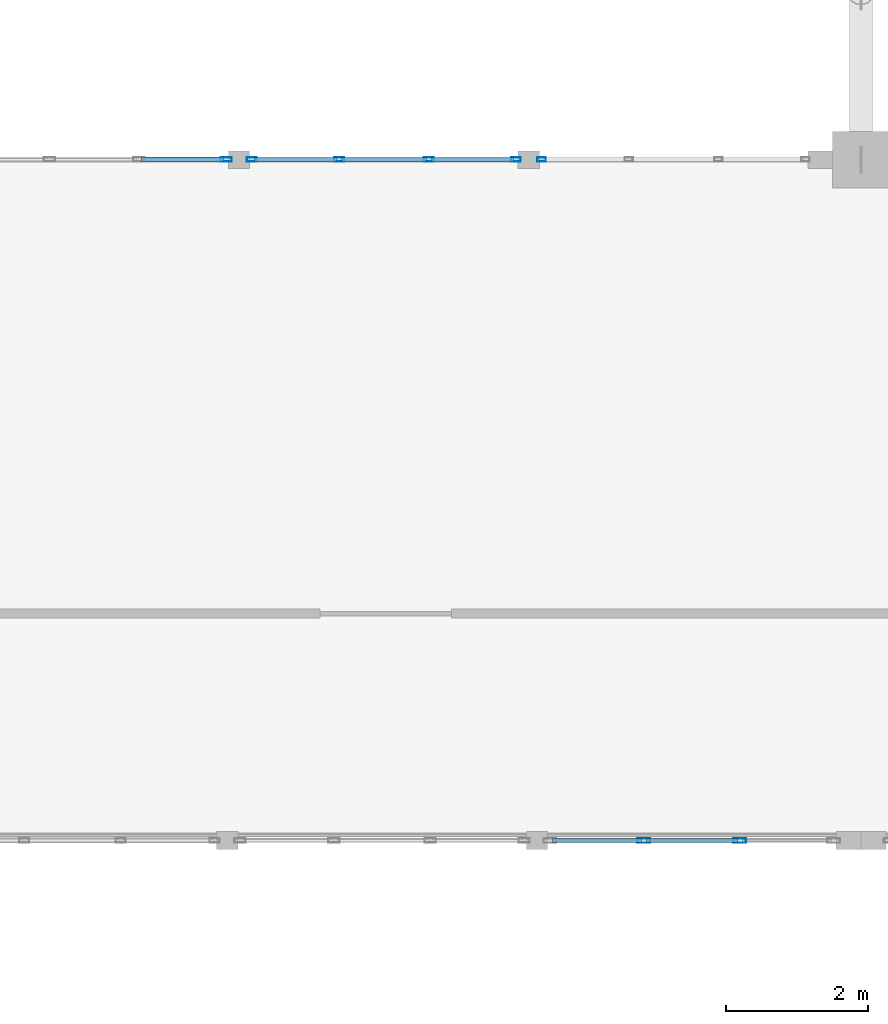
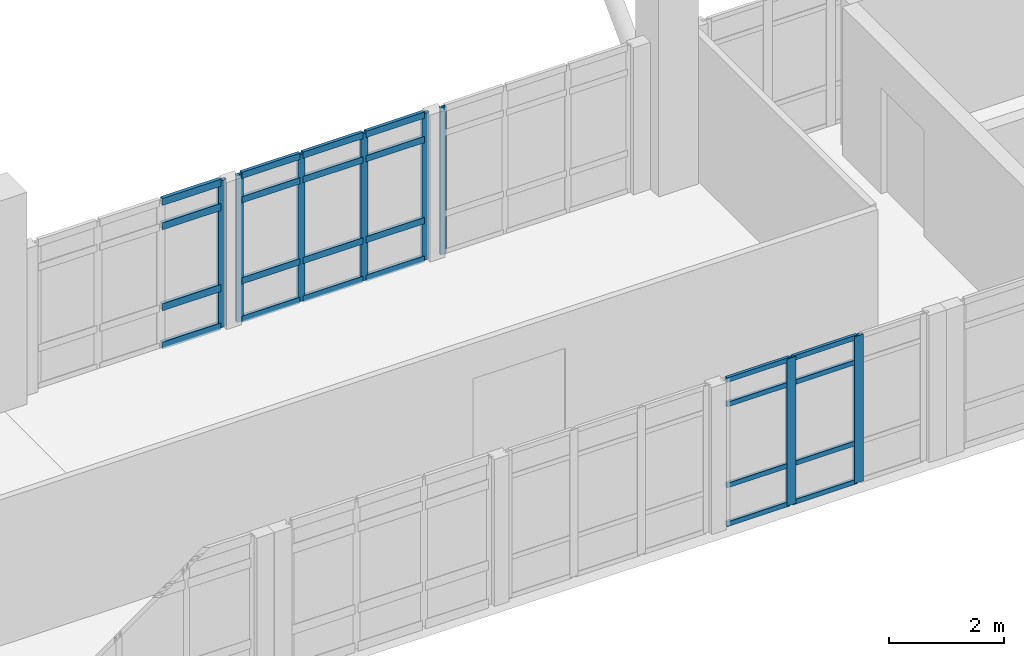
# One storey, part 18 of 37: 32 members, 4 elements without a shape of their own.
"""IFC4 building model written with IfcOpenShell, lengths in metres."""

from ifc_helpers import new_model, si_unit, direction, frame, origin, origin_2d, place, context, subcontext, project, spatial, hollow_rectangle, extrude, material, layer, layer_set, material_profile, profile_set, type_object, element, aggregate, save


model = new_model("IFC4")

# Units and contexts
model_context = context("Model", 3, precision=1e-05, world=origin(), true_north=direction((0.0, 1.0)))
body_context = subcontext(model_context, "Body", "Model", "MODEL_VIEW")
ifc_project = project(units=[si_unit("LENGTHUNIT", "METRE"), si_unit("AREAUNIT", "SQUARE_METRE"), si_unit("VOLUMEUNIT", "CUBIC_METRE"), si_unit("PLANEANGLEUNIT", "RADIAN"), si_unit("MASSUNIT", "GRAM", prefix="KILO")], contexts=[model_context])

# Site, building, storey
site_placement = place(None, origin())
site = spatial("IfcSite", under=ifc_project, at=site_placement, CompositionType="ELEMENT")
building_placement = place(site_placement, origin())
building = spatial("IfcBuilding", under=site, at=building_placement, Name="Fikremerkos Civic Library", CompositionType="ELEMENT")
storey_placement = place(building_placement, frame((0.0, 0.0, 23.39990234375)))
storey = spatial("IfcBuildingStorey", under=building, at=storey_placement, Name="L05", CompositionType="ELEMENT", Elevation=23.39990234375)

# Curtain wall, members
ifc_material = material(Name="Anodized aluminium Frame", Category="aluminium")
ifc_layer_1 = layer(ifc_material, 0.159912109375, Name="Anodized aluminium Frame")
ifc_layer_set_1 = layer_set([ifc_layer_1], Name="Anodized aluminium Frame")
curtain_wall_type_1 = type_object("IfcCurtainWallType", Name="Unitised curtain wall CW-13 3700x3200", PredefinedType="USERDEFINED", material=ifc_layer_set_1)
curtain_wall_1_placement = place(storey_placement, origin())
curtain_wall_1 = element("IfcCurtainWall", 1, at=curtain_wall_1_placement, inside=storey, type_object=curtain_wall_type_1, Name="Unitised curtain wall CW-13 L05 #283", ObjectType="UNITISED CURTAIN WALL", PredefinedType="USERDEFINED")
ifc_material_profile_1 = material_profile(ifc_material, hollow_rectangle(XDim=0.06494140625, YDim=0.179931640625, WallThickness=0.00439453125, at=origin_2d()), Name="ALU 180x65x4.5")
ifc_profile_set_1 = profile_set([ifc_material_profile_1], Name="Anodized aluminium Frame")
member_type_1 = type_object("IfcMemberType", Name="Curtain mullion CWM-01 ALU 180x65x4.5", PredefinedType="MULLION", material=ifc_profile_set_1)
member_1_placement = place(storey_placement, frame((98.492919921875, 21.60009765625, 0.0), z_axis=(0.0, 0.0, 1.0), x_axis=(0.0, -1.0, 0.0)))
member_1 = element("IfcMember", 2, at=member_1_placement, type_object=member_type_1, Name="CW-13 mullion 2", PredefinedType="MULLION", context=body_context, shape_type="SweptSolid", body=[
    extrude(hollow_rectangle(XDim=0.06494140625, YDim=0.179931640625, WallThickness=0.00439453125, at=origin_2d()), origin(), (0.0, 0.0, 1.0), 3.1201171875),
])
member_2_placement = place(storey_placement, frame((97.1376953125, 21.60009765625, 0.0), z_axis=(0.0, 0.0, 1.0), x_axis=(0.0, -1.0, 0.0)))
member_2 = element("IfcMember", 3, at=member_2_placement, type_object=member_type_1, Name="CW-13 mullion 3", PredefinedType="MULLION", context=body_context, shape_type="SweptSolid", body=[
    extrude(hollow_rectangle(XDim=0.06494140625, YDim=0.179931640625, WallThickness=0.00439453125, at=origin_2d()), origin(), (0.0, 0.0, 1.0), 3.1201171875),
])

# Curtain wall, member
ifc_layer_2 = layer(ifc_material, 0.159912109375, Name="Anodized aluminium Frame")
ifc_layer_set_2 = layer_set([ifc_layer_2], Name="Anodized aluminium Frame")
curtain_wall_type_2 = type_object("IfcCurtainWallType", Name="Unitised curtain wall CW-02 3900x3600", PredefinedType="USERDEFINED", material=ifc_layer_set_2)
curtain_wall_2_placement = place(storey_placement, origin())
curtain_wall_2 = element("IfcCurtainWall", 4, at=curtain_wall_2_placement, inside=storey, type_object=curtain_wall_type_2, Name="Unitised curtain wall CW-02 L05 #272", ObjectType="UNITISED CURTAIN WALL", PredefinedType="USERDEFINED")
ifc_material_profile_2 = material_profile(ifc_material, hollow_rectangle(XDim=0.06005859375, YDim=0.159912109375, WallThickness=0.00390625, at=origin_2d()), Name="ALU 160x60x4")
ifc_profile_set_2 = profile_set([ifc_material_profile_2], Name="Anodized aluminium Frame")
member_type_2 = type_object("IfcMemberType", Name="Curtain mullion CWM-02 ALU 160x60x4", PredefinedType="MULLION", material=ifc_profile_set_2)
member_3_placement = place(storey_placement, frame((91.252685546875, 31.199951171875, 0.0), z_axis=(0.0, 0.0, 1.0), x_axis=(0.0, 1.0, 0.0)))
member_3 = element("IfcMember", 5, at=member_3_placement, type_object=member_type_2, Name="CW-02 mullion 4", PredefinedType="MULLION", context=body_context, shape_type="SweptSolid", body=[
    extrude(hollow_rectangle(XDim=0.06005859375, YDim=0.159912109375, WallThickness=0.00390625, at=origin_2d()), origin(), (0.0, 0.0, 1.0), 3.1201171875),
])

# Curtain wall, members
ifc_layer_3 = layer(ifc_material, 0.159912109375, Name="Anodized aluminium Frame")
ifc_layer_set_3 = layer_set([ifc_layer_3], Name="Anodized aluminium Frame")
curtain_wall_type_3 = type_object("IfcCurtainWallType", Name="Unitised curtain wall CW-03 4100x3600", PredefinedType="USERDEFINED", material=ifc_layer_set_3)
curtain_wall_3_placement = place(storey_placement, origin())
curtain_wall_3 = element("IfcCurtainWall", 6, at=curtain_wall_3_placement, inside=storey, type_object=curtain_wall_type_3, Name="Unitised curtain wall CW-03 L05 #273", ObjectType="UNITISED CURTAIN WALL", PredefinedType="USERDEFINED")
ifc_material_profile_3 = material_profile(ifc_material, hollow_rectangle(XDim=0.06005859375, YDim=0.139892578125, WallThickness=0.00390625, at=origin_2d()), Name="ALU 140x60x4")
ifc_profile_set_3 = profile_set([ifc_material_profile_3], Name="Anodized aluminium Frame")
member_type_3 = type_object("IfcMemberType", Name="Curtain mullion CWM-03 ALU 140x60x4", PredefinedType="MULLION", material=ifc_profile_set_3)
member_4_placement = place(storey_placement, frame((91.612548828125, 31.199951171875, 0.0), z_axis=(0.0, 0.0, 1.0), x_axis=(0.0, 1.0, 0.0)))
member_4 = element("IfcMember", 7, at=member_4_placement, type_object=member_type_3, Name="CW-03 mullion 1", PredefinedType="MULLION", context=body_context, shape_type="SweptSolid", body=[
    extrude(hollow_rectangle(XDim=0.06005859375, YDim=0.139892578125, WallThickness=0.00390625, at=origin_2d()), origin(), (0.0, 0.0, 1.0), 3.1201171875),
])
member_5_placement = place(storey_placement, frame((92.84423828125, 31.199951171875, 0.0), z_axis=(0.0, 0.0, 1.0), x_axis=(0.0, 1.0, 0.0)))
member_5 = element("IfcMember", 8, at=member_5_placement, type_object=member_type_3, Name="CW-03 mullion 2", PredefinedType="MULLION", context=body_context, shape_type="SweptSolid", body=[
    extrude(hollow_rectangle(XDim=0.06005859375, YDim=0.139892578125, WallThickness=0.00390625, at=origin_2d()), origin(), (0.0, 0.0, 1.0), 3.1201171875),
])
member_6_placement = place(storey_placement, frame((94.105712890625, 31.199951171875, 0.0), z_axis=(0.0, 0.0, 1.0), x_axis=(0.0, 1.0, 0.0)))
member_6 = element("IfcMember", 9, at=member_6_placement, type_object=member_type_3, Name="CW-03 mullion 3", PredefinedType="MULLION", context=body_context, shape_type="SweptSolid", body=[
    extrude(hollow_rectangle(XDim=0.06005859375, YDim=0.139892578125, WallThickness=0.00390625, at=origin_2d()), origin(), (0.0, 0.0, 1.0), 3.1201171875),
])
member_7_placement = place(storey_placement, frame((95.33740234375, 31.199951171875, 0.0), z_axis=(0.0, 0.0, 1.0), x_axis=(0.0, 1.0, 0.0)))
member_7 = element("IfcMember", 10, at=member_7_placement, type_object=member_type_3, Name="CW-03 mullion 4", PredefinedType="MULLION", context=body_context, shape_type="SweptSolid", body=[
    extrude(hollow_rectangle(XDim=0.06005859375, YDim=0.139892578125, WallThickness=0.00390625, at=origin_2d()), origin(), (0.0, 0.0, 1.0), 3.1201171875),
])

# Curtain wall, member
ifc_layer_4 = layer(ifc_material, 0.159912109375, Name="Anodized aluminium Frame")
ifc_layer_set_4 = layer_set([ifc_layer_4], Name="Anodized aluminium Frame")
curtain_wall_type_4 = type_object("IfcCurtainWallType", Name="Unitised curtain wall CW-04 3400x3600", PredefinedType="USERDEFINED", material=ifc_layer_set_4)
curtain_wall_4_placement = place(storey_placement, origin())
curtain_wall_4 = element("IfcCurtainWall", 11, at=curtain_wall_4_placement, inside=storey, type_object=curtain_wall_type_4, Name="Unitised curtain wall CW-04 L05 #274", ObjectType="UNITISED CURTAIN WALL", PredefinedType="USERDEFINED")
ifc_material_profile_4 = material_profile(ifc_material, hollow_rectangle(XDim=0.06005859375, YDim=0.1201171875, WallThickness=0.00390625, at=origin_2d()), Name="ALU 120x60x4")
ifc_profile_set_4 = profile_set([ifc_material_profile_4], Name="Anodized aluminium Frame")
member_type_4 = type_object("IfcMemberType", Name="Curtain mullion CWM-04 ALU 120x60x4", PredefinedType="MULLION", material=ifc_profile_set_4)
member_8_placement = place(storey_placement, frame((95.697265625, 31.199951171875, 0.0), z_axis=(0.0, 0.0, 1.0), x_axis=(0.0, 1.0, 0.0)))
member_8 = element("IfcMember", 12, at=member_8_placement, type_object=member_type_4, Name="CW-04 mullion 1", PredefinedType="MULLION", context=body_context, shape_type="SweptSolid", body=[
    extrude(hollow_rectangle(XDim=0.06005859375, YDim=0.1201171875, WallThickness=0.00390625, at=origin_2d()), origin(), (0.0, 0.0, 1.0), 3.1201171875),
])
aggregate(curtain_wall_4, [member_8])

# Member
ifc_material_profile_5 = material_profile(ifc_material, hollow_rectangle(XDim=0.070068359375, YDim=0.14990234375, WallThickness=0.00439453125, at=origin_2d()), Name="ALU 150x70x4.5")
ifc_profile_set_5 = profile_set([ifc_material_profile_5], Name="Anodized aluminium Frame")
member_type_5 = type_object("IfcMemberType", Name="Curtain transom CWT-01 ALU 150x70x4.5", PredefinedType="USERDEFINED", material=ifc_profile_set_5)
member_9_placement = place(storey_placement, frame((90.051025390625, 31.199951171875, 0.03515625), z_axis=(1.0, 0.0, 0.0), x_axis=(0.0, 1.0, 0.0)))
member_9 = element("IfcMember", 13, at=member_9_placement, type_object=member_type_5, Name="CW-02 transom 3.1", ObjectType="TRANSOM", PredefinedType="USERDEFINED", context=body_context, shape_type="SweptSolid", body=[
    extrude(hollow_rectangle(XDim=0.070068359375, YDim=0.14990234375, WallThickness=0.00439453125, at=origin_2d()), origin(), (0.0, 0.0, 1.0), 1.171630859375),
])

member_10_placement = place(storey_placement, frame((90.051025390625, 31.199951171875, 0.85009765625), z_axis=(1.0, 0.0, 0.0), x_axis=(0.0, 1.0, 0.0)))
member_10 = element("IfcMember", 14, at=member_10_placement, type_object=member_type_5, Name="CW-02 transom 3.2", ObjectType="TRANSOM", PredefinedType="USERDEFINED", context=body_context, shape_type="SweptSolid", body=[
    extrude(hollow_rectangle(XDim=0.070068359375, YDim=0.14990234375, WallThickness=0.00439453125, at=origin_2d()), origin(), (0.0, 0.0, 1.0), 1.171630859375),
])

member_11_placement = place(storey_placement, frame((90.051025390625, 31.199951171875, 2.570068359375), z_axis=(1.0, 0.0, 0.0), x_axis=(0.0, 1.0, 0.0)))
member_11 = element("IfcMember", 15, at=member_11_placement, type_object=member_type_5, Name="CW-02 transom 3.3", ObjectType="TRANSOM", PredefinedType="USERDEFINED", context=body_context, shape_type="SweptSolid", body=[
    extrude(hollow_rectangle(XDim=0.070068359375, YDim=0.14990234375, WallThickness=0.00439453125, at=origin_2d()), origin(), (0.0, 0.0, 1.0), 1.171630859375),
])

member_12_placement = place(storey_placement, frame((90.051025390625, 31.199951171875, 3.085205078125), z_axis=(1.0, 0.0, 0.0), x_axis=(0.0, 1.0, 0.0)))
member_12 = element("IfcMember", 16, at=member_12_placement, type_object=member_type_5, Name="CW-02 transom 3.4", ObjectType="TRANSOM", PredefinedType="USERDEFINED", context=body_context, shape_type="SweptSolid", body=[
    extrude(hollow_rectangle(XDim=0.070068359375, YDim=0.14990234375, WallThickness=0.00439453125, at=origin_2d()), origin(), (0.0, 0.0, 1.0), 1.171630859375),
])

aggregate(curtain_wall_2, [member_3, member_9, member_10, member_11, member_12])

ifc_material_profile_6 = material_profile(ifc_material, hollow_rectangle(XDim=0.06494140625, YDim=0.135009765625, WallThickness=0.00439453125, at=origin_2d()), Name="ALU 135x65x4.5")
ifc_profile_set_6 = profile_set([ifc_material_profile_6], Name="Anodized aluminium Frame")
member_type_6 = type_object("IfcMemberType", Name="Curtain transom CWT-02 ALU 135x65x4.5", PredefinedType="USERDEFINED", material=ifc_profile_set_6)
member_13_placement = place(storey_placement, frame((91.642578125, 31.199951171875, 0.03271484375), z_axis=(1.0, 0.0, 0.0), x_axis=(0.0, 1.0, 0.0)))
member_13 = element("IfcMember", 17, at=member_13_placement, type_object=member_type_6, Name="CW-03 transom 1.1", ObjectType="TRANSOM", PredefinedType="USERDEFINED", context=body_context, shape_type="SweptSolid", body=[
    extrude(hollow_rectangle(XDim=0.06494140625, YDim=0.135009765625, WallThickness=0.00439453125, at=origin_2d()), origin(), (0.0, 0.0, 1.0), 1.171630859375),
])

member_14_placement = place(storey_placement, frame((91.642578125, 31.199951171875, 0.85009765625), z_axis=(1.0, 0.0, 0.0), x_axis=(0.0, 1.0, 0.0)))
member_14 = element("IfcMember", 18, at=member_14_placement, type_object=member_type_6, Name="CW-03 transom 1.2", ObjectType="TRANSOM", PredefinedType="USERDEFINED", context=body_context, shape_type="SweptSolid", body=[
    extrude(hollow_rectangle(XDim=0.06494140625, YDim=0.135009765625, WallThickness=0.00439453125, at=origin_2d()), origin(), (0.0, 0.0, 1.0), 1.171630859375),
])

member_15_placement = place(storey_placement, frame((91.642578125, 31.199951171875, 2.570068359375), z_axis=(1.0, 0.0, 0.0), x_axis=(0.0, 1.0, 0.0)))
member_15 = element("IfcMember", 19, at=member_15_placement, type_object=member_type_6, Name="CW-03 transom 1.3", ObjectType="TRANSOM", PredefinedType="USERDEFINED", context=body_context, shape_type="SweptSolid", body=[
    extrude(hollow_rectangle(XDim=0.06494140625, YDim=0.135009765625, WallThickness=0.00439453125, at=origin_2d()), origin(), (0.0, 0.0, 1.0), 1.171630859375),
])

member_16_placement = place(storey_placement, frame((91.642578125, 31.199951171875, 3.087646484375), z_axis=(1.0, 0.0, 0.0), x_axis=(0.0, 1.0, 0.0)))
member_16 = element("IfcMember", 20, at=member_16_placement, type_object=member_type_6, Name="CW-03 transom 1.4", ObjectType="TRANSOM", PredefinedType="USERDEFINED", context=body_context, shape_type="SweptSolid", body=[
    extrude(hollow_rectangle(XDim=0.06494140625, YDim=0.135009765625, WallThickness=0.00439453125, at=origin_2d()), origin(), (0.0, 0.0, 1.0), 1.171630859375),
])

member_17_placement = place(storey_placement, frame((92.874267578125, 31.199951171875, 0.03271484375), z_axis=(1.0, 0.0, 0.0), x_axis=(0.0, 1.0, 0.0)))
member_17 = element("IfcMember", 21, at=member_17_placement, type_object=member_type_6, Name="CW-03 transom 2.1", ObjectType="TRANSOM", PredefinedType="USERDEFINED", context=body_context, shape_type="SweptSolid", body=[
    extrude(hollow_rectangle(XDim=0.06494140625, YDim=0.135009765625, WallThickness=0.00439453125, at=origin_2d()), origin(), (0.0, 0.0, 1.0), 1.201416015625),
])

member_18_placement = place(storey_placement, frame((92.874267578125, 31.199951171875, 0.85009765625), z_axis=(1.0, 0.0, 0.0), x_axis=(0.0, 1.0, 0.0)))
member_18 = element("IfcMember", 22, at=member_18_placement, type_object=member_type_6, Name="CW-03 transom 2.2", ObjectType="TRANSOM", PredefinedType="USERDEFINED", context=body_context, shape_type="SweptSolid", body=[
    extrude(hollow_rectangle(XDim=0.06494140625, YDim=0.135009765625, WallThickness=0.00439453125, at=origin_2d()), origin(), (0.0, 0.0, 1.0), 1.201416015625),
])

member_19_placement = place(storey_placement, frame((92.874267578125, 31.199951171875, 2.570068359375), z_axis=(1.0, 0.0, 0.0), x_axis=(0.0, 1.0, 0.0)))
member_19 = element("IfcMember", 23, at=member_19_placement, type_object=member_type_6, Name="CW-03 transom 2.3", ObjectType="TRANSOM", PredefinedType="USERDEFINED", context=body_context, shape_type="SweptSolid", body=[
    extrude(hollow_rectangle(XDim=0.06494140625, YDim=0.135009765625, WallThickness=0.00439453125, at=origin_2d()), origin(), (0.0, 0.0, 1.0), 1.201416015625),
])

member_20_placement = place(storey_placement, frame((92.874267578125, 31.199951171875, 3.087646484375), z_axis=(1.0, 0.0, 0.0), x_axis=(0.0, 1.0, 0.0)))
member_20 = element("IfcMember", 24, at=member_20_placement, type_object=member_type_6, Name="CW-03 transom 2.4", ObjectType="TRANSOM", PredefinedType="USERDEFINED", context=body_context, shape_type="SweptSolid", body=[
    extrude(hollow_rectangle(XDim=0.06494140625, YDim=0.135009765625, WallThickness=0.00439453125, at=origin_2d()), origin(), (0.0, 0.0, 1.0), 1.201416015625),
])

member_21_placement = place(storey_placement, frame((94.1357421875, 31.199951171875, 0.03271484375), z_axis=(1.0, 0.0, 0.0), x_axis=(0.0, 1.0, 0.0)))
member_21 = element("IfcMember", 25, at=member_21_placement, type_object=member_type_6, Name="CW-03 transom 3.1", ObjectType="TRANSOM", PredefinedType="USERDEFINED", context=body_context, shape_type="SweptSolid", body=[
    extrude(hollow_rectangle(XDim=0.06494140625, YDim=0.135009765625, WallThickness=0.00439453125, at=origin_2d()), origin(), (0.0, 0.0, 1.0), 1.171630859375),
])

member_22_placement = place(storey_placement, frame((94.1357421875, 31.199951171875, 0.85009765625), z_axis=(1.0, 0.0, 0.0), x_axis=(0.0, 1.0, 0.0)))
member_22 = element("IfcMember", 26, at=member_22_placement, type_object=member_type_6, Name="CW-03 transom 3.2", ObjectType="TRANSOM", PredefinedType="USERDEFINED", context=body_context, shape_type="SweptSolid", body=[
    extrude(hollow_rectangle(XDim=0.06494140625, YDim=0.135009765625, WallThickness=0.00439453125, at=origin_2d()), origin(), (0.0, 0.0, 1.0), 1.171630859375),
])

member_23_placement = place(storey_placement, frame((94.1357421875, 31.199951171875, 2.570068359375), z_axis=(1.0, 0.0, 0.0), x_axis=(0.0, 1.0, 0.0)))
member_23 = element("IfcMember", 27, at=member_23_placement, type_object=member_type_6, Name="CW-03 transom 3.3", ObjectType="TRANSOM", PredefinedType="USERDEFINED", context=body_context, shape_type="SweptSolid", body=[
    extrude(hollow_rectangle(XDim=0.06494140625, YDim=0.135009765625, WallThickness=0.00439453125, at=origin_2d()), origin(), (0.0, 0.0, 1.0), 1.171630859375),
])

member_24_placement = place(storey_placement, frame((94.1357421875, 31.199951171875, 3.087646484375), z_axis=(1.0, 0.0, 0.0), x_axis=(0.0, 1.0, 0.0)))
member_24 = element("IfcMember", 28, at=member_24_placement, type_object=member_type_6, Name="CW-03 transom 3.4", ObjectType="TRANSOM", PredefinedType="USERDEFINED", context=body_context, shape_type="SweptSolid", body=[
    extrude(hollow_rectangle(XDim=0.06494140625, YDim=0.135009765625, WallThickness=0.00439453125, at=origin_2d()), origin(), (0.0, 0.0, 1.0), 1.171630859375),
])

aggregate(curtain_wall_3, [member_4, member_5, member_6, member_7, member_13, member_14, member_15, member_16, member_17, member_18, member_19, member_20, member_21, member_22, member_23, member_24])

ifc_material_profile_7 = material_profile(ifc_material, hollow_rectangle(XDim=0.06005859375, YDim=0.10009765625, WallThickness=0.00390625, at=origin_2d()), Name="ALU 100x60x4")
ifc_profile_set_7 = profile_set([ifc_material_profile_7], Name="Anodized aluminium Frame")
member_type_7 = type_object("IfcMemberType", Name="Curtain transom CWT-03 ALU 100x60x4", PredefinedType="USERDEFINED", material=ifc_profile_set_7)
member_25_placement = place(storey_placement, frame((98.46044921875, 21.60009765625, 0.030029296875), z_axis=(-1.0, 0.0, 0.0), x_axis=(0.0, -1.0, 0.0)))
member_25 = element("IfcMember", 29, at=member_25_placement, type_object=member_type_7, Name="CW-13 transom 2.1", ObjectType="TRANSOM", PredefinedType="USERDEFINED", context=body_context, shape_type="SweptSolid", body=[
    extrude(hollow_rectangle(XDim=0.06005859375, YDim=0.10009765625, WallThickness=0.00390625, at=origin_2d()), origin(), (0.0, 0.0, 1.0), 1.290283203125),
])

member_26_placement = place(storey_placement, frame((98.46044921875, 21.60009765625, 0.85009765625), z_axis=(-1.0, 0.0, 0.0), x_axis=(0.0, -1.0, 0.0)))
member_26 = element("IfcMember", 30, at=member_26_placement, type_object=member_type_7, Name="CW-13 transom 2.2", ObjectType="TRANSOM", PredefinedType="USERDEFINED", context=body_context, shape_type="SweptSolid", body=[
    extrude(hollow_rectangle(XDim=0.06005859375, YDim=0.10009765625, WallThickness=0.00390625, at=origin_2d()), origin(), (0.0, 0.0, 1.0), 1.290283203125),
])

member_27_placement = place(storey_placement, frame((98.46044921875, 21.60009765625, 2.570068359375), z_axis=(-1.0, 0.0, 0.0), x_axis=(0.0, -1.0, 0.0)))
member_27 = element("IfcMember", 31, at=member_27_placement, type_object=member_type_7, Name="CW-13 transom 2.3", ObjectType="TRANSOM", PredefinedType="USERDEFINED", context=body_context, shape_type="SweptSolid", body=[
    extrude(hollow_rectangle(XDim=0.06005859375, YDim=0.10009765625, WallThickness=0.00390625, at=origin_2d()), origin(), (0.0, 0.0, 1.0), 1.290283203125),
])

member_28_placement = place(storey_placement, frame((98.46044921875, 21.60009765625, 3.090087890625), z_axis=(-1.0, 0.0, 0.0), x_axis=(0.0, -1.0, 0.0)))
member_28 = element("IfcMember", 32, at=member_28_placement, type_object=member_type_7, Name="CW-13 transom 2.4", ObjectType="TRANSOM", PredefinedType="USERDEFINED", context=body_context, shape_type="SweptSolid", body=[
    extrude(hollow_rectangle(XDim=0.06005859375, YDim=0.10009765625, WallThickness=0.00390625, at=origin_2d()), origin(), (0.0, 0.0, 1.0), 1.290283203125),
])

member_29_placement = place(storey_placement, frame((97.105224609375, 21.60009765625, 0.030029296875), z_axis=(-1.0, 0.0, 0.0), x_axis=(0.0, -1.0, 0.0)))
member_29 = element("IfcMember", 33, at=member_29_placement, type_object=member_type_7, Name="CW-13 transom 3.1", ObjectType="TRANSOM", PredefinedType="USERDEFINED", context=body_context, shape_type="SweptSolid", body=[
    extrude(hollow_rectangle(XDim=0.06005859375, YDim=0.10009765625, WallThickness=0.00390625, at=origin_2d()), origin(), (0.0, 0.0, 1.0), 1.257568359375),
])

member_30_placement = place(storey_placement, frame((97.105224609375, 21.60009765625, 0.85009765625), z_axis=(-1.0, 0.0, 0.0), x_axis=(0.0, -1.0, 0.0)))
member_30 = element("IfcMember", 34, at=member_30_placement, type_object=member_type_7, Name="CW-13 transom 3.2", ObjectType="TRANSOM", PredefinedType="USERDEFINED", context=body_context, shape_type="SweptSolid", body=[
    extrude(hollow_rectangle(XDim=0.06005859375, YDim=0.10009765625, WallThickness=0.00390625, at=origin_2d()), origin(), (0.0, 0.0, 1.0), 1.257568359375),
])

member_31_placement = place(storey_placement, frame((97.105224609375, 21.60009765625, 2.570068359375), z_axis=(-1.0, 0.0, 0.0), x_axis=(0.0, -1.0, 0.0)))
member_31 = element("IfcMember", 35, at=member_31_placement, type_object=member_type_7, Name="CW-13 transom 3.3", ObjectType="TRANSOM", PredefinedType="USERDEFINED", context=body_context, shape_type="SweptSolid", body=[
    extrude(hollow_rectangle(XDim=0.06005859375, YDim=0.10009765625, WallThickness=0.00390625, at=origin_2d()), origin(), (0.0, 0.0, 1.0), 1.257568359375),
])

member_32_placement = place(storey_placement, frame((97.105224609375, 21.60009765625, 3.090087890625), z_axis=(-1.0, 0.0, 0.0), x_axis=(0.0, -1.0, 0.0)))
member_32 = element("IfcMember", 36, at=member_32_placement, type_object=member_type_7, Name="CW-13 transom 3.4", ObjectType="TRANSOM", PredefinedType="USERDEFINED", context=body_context, shape_type="SweptSolid", body=[
    extrude(hollow_rectangle(XDim=0.06005859375, YDim=0.10009765625, WallThickness=0.00390625, at=origin_2d()), origin(), (0.0, 0.0, 1.0), 1.257568359375),
])

aggregate(curtain_wall_1, [member_1, member_2, member_25, member_26, member_27, member_28, member_29, member_30, member_31, member_32])

save(model, "model.ifc")
